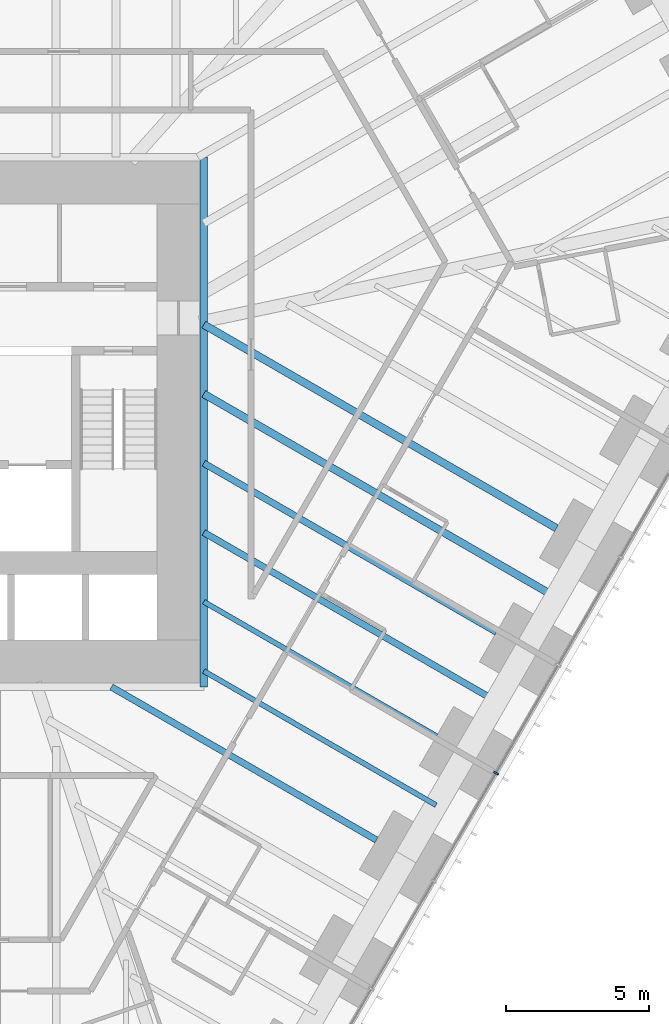
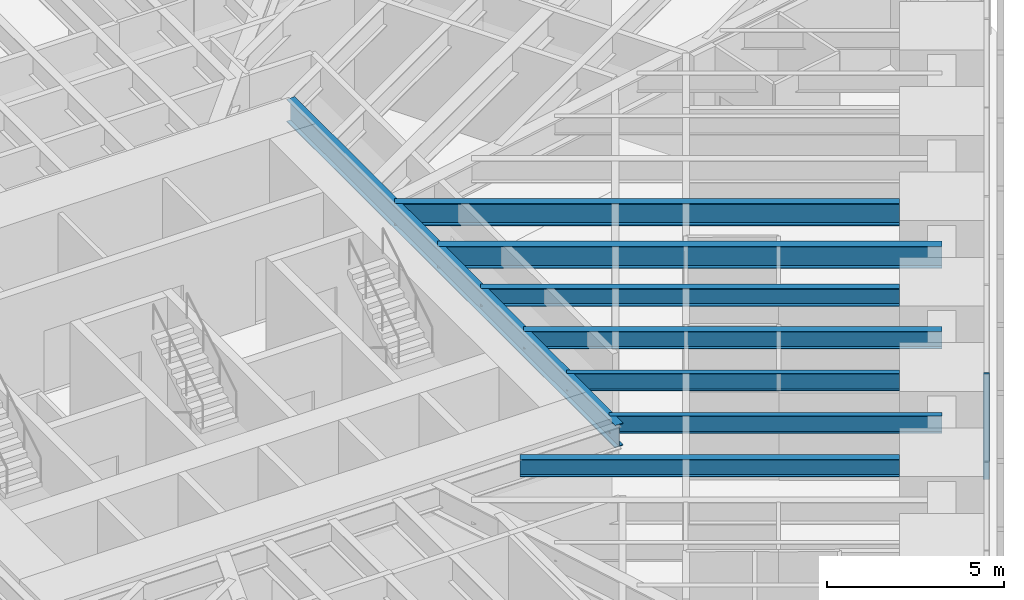
# One storey, part 104 of 256: 8 beams, 1 member, 1 element without a shape of its own.
"""IFC4 building model written with IfcOpenShell, lengths in metres."""

from ifc_helpers import new_model, si_unit, direction, frame, origin, origin_2d, place, context, subcontext, project, spatial, rectangle, i_section, extrude, material, material_profile, profile_set, type_object, element, aggregate, save


model = new_model("IFC4")

# Units and contexts
model_context = context("Model", 3, precision=1e-05, world=origin(), true_north=direction((0.0, 1.0)))
body_context = subcontext(model_context, "Body", "Model", "MODEL_VIEW")
ifc_project = project(units=[si_unit("LENGTHUNIT", "METRE"), si_unit("AREAUNIT", "SQUARE_METRE"), si_unit("VOLUMEUNIT", "CUBIC_METRE"), si_unit("PLANEANGLEUNIT", "RADIAN"), si_unit("MASSUNIT", "GRAM", prefix="KILO")], contexts=[model_context])

# Site, building, storey
site_placement = place(None, origin())
site = spatial("IfcSite", under=ifc_project, at=site_placement, CompositionType="ELEMENT")
building_placement = place(site_placement, origin())
building = spatial("IfcBuilding", under=site, at=building_placement, Name="Sandreach Pilgrim Tower", CompositionType="ELEMENT")
storey_placement = place(building_placement, frame((0.0, 0.0, 23.0)))
storey = spatial("IfcBuildingStorey", under=building, at=storey_placement, Name="L04", CompositionType="ELEMENT", Elevation=23.0)

# Curtain wall, member
ifc_material_1 = material(Name="Aluminium framed curtain wall", Category="aluminium")
curtain_wall_type = type_object("IfcCurtainWallType", Name="Hostel tower curtain wall", PredefinedType="NOTDEFINED", material=ifc_material_1)
curtain_wall_placement = place(storey_placement, origin())
curtain_wall = element("IfcCurtainWall", 1, at=curtain_wall_placement, inside=storey, type_object=curtain_wall_type, Name="CW-1 L04 SE", PredefinedType="NOTDEFINED")
ifc_material_2 = material(Name="Aluminium extrusion", Category="aluminium")
ifc_material_profile_1 = material_profile(ifc_material_2, rectangle(XDim=0.06494140625, YDim=0.179931640625, at=origin_2d()), Name="CW-1M 65X180")
ifc_profile_set_1 = profile_set([ifc_material_profile_1], Name="Aluminium extrusion")
member_type = type_object("IfcMemberType", Name="CW-1 mullion", PredefinedType="MULLION", material=ifc_profile_set_1)
member_placement = place(storey_placement, frame((19.647216796875, -13.8671875, 0.0), z_axis=(0.0, 0.0, 1.0), x_axis=(-0.5, -0.866025403784, 0.0)))
member = element("IfcMember", 2, at=member_placement, type_object=member_type, Name="CW-1 mullion 6", PredefinedType="MULLION", context=body_context, shape_type="SweptSolid", body=[
    extrude(rectangle(XDim=0.06494140625, YDim=0.179931640625, at=origin_2d()), origin(), (0.0, 0.0, 1.0), 3.639892578125),
])
aggregate(curtain_wall, [member])

# Beams
ifc_material_3 = material(Name="Steel ASTM A992 Grade 50", Category="steel")
ifc_material_profile_2 = material_profile(ifc_material_3, i_section(OverallWidth=0.2666015625, OverallDepth=0.77978515625, WebThickness=0.0166015625, FlangeThickness=0.030029296875, at=origin_2d()), Name="W30X148")
ifc_profile_set_2 = profile_set([ifc_material_profile_2], Name="Steel ASTM A992 Grade 50")
beam_type_1 = type_object("IfcBeamType", Name="Core edge beam W30X148", PredefinedType="BEAM", material=ifc_profile_set_2)
beam_1_placement = place(storey_placement, frame((9.393310546875, 7.743408203125, 3.25), z_axis=(0.0, -1.0, 0.0), x_axis=(1.0, 0.0, 0.0)))
element("IfcBeam", 3, at=beam_1_placement, inside=storey, type_object=beam_type_1, Name="BM L04 CEE", PredefinedType="BEAM", context=body_context, shape_type="SweptSolid", body=[
    extrude(i_section(OverallWidth=0.2666015625, OverallDepth=0.77978515625, WebThickness=0.0166015625, FlangeThickness=0.030029296875, at=origin_2d()), origin(), (0.0, 0.0, 1.0), 18.586669921875),
])
ifc_material_4 = material(Name="Steel ASTM A992 Grade 50", Category="steel")
ifc_material_profile_3 = material_profile(ifc_material_4, i_section(OverallWidth=0.1787109375, OverallDepth=0.60205078125, WebThickness=0.010986328125, FlangeThickness=0.014892578125, at=origin_2d()), Name="W24X62")
ifc_profile_set_3 = profile_set([ifc_material_profile_3], Name="Steel ASTM A992 Grade 50")
beam_type_2 = type_object("IfcBeamType", Name="Floor beam W24X62", PredefinedType="BEAM", material=ifc_profile_set_3)
beam_2_placement = place(storey_placement, frame((17.557373046875, -12.5673828125, 3.339111328125), z_axis=(-0.866020839647, 0.500007905235, 0.0), x_axis=(-0.500007905235, -0.866020839647, 0.0)))
element("IfcBeam", 4, at=beam_2_placement, inside=storey, type_object=beam_type_2, Name="BM L04 F18", PredefinedType="BEAM", context=body_context, shape_type="SweptSolid", body=[
    extrude(i_section(OverallWidth=0.1787109375, OverallDepth=0.60205078125, WebThickness=0.010986328125, FlangeThickness=0.014892578125, at=origin_2d()), origin(), (0.0, 0.0, 1.0), 9.427001953125),
])
beam_3_placement = place(storey_placement, frame((17.5439453125, -14.990234375, 3.339111328125), z_axis=(-0.86602359238, 0.500003137431, 0.0), x_axis=(-0.500003137431, -0.86602359238, 0.0)))
element("IfcBeam", 5, at=beam_3_placement, inside=storey, type_object=beam_type_2, Name="BM L04 FM18", PredefinedType="BEAM", context=body_context, shape_type="SweptSolid", body=[
    extrude(i_section(OverallWidth=0.1787109375, OverallDepth=0.60205078125, WebThickness=0.010986328125, FlangeThickness=0.014892578125, at=origin_2d()), origin(), (0.0, 0.0, 1.0), 9.41162109375),
])
ifc_material_5 = material(Name="Steel ASTM A992 Grade 50", Category="steel")
ifc_material_profile_4 = material_profile(ifc_material_5, i_section(OverallWidth=0.23046875, OverallDepth=0.6171875, WebThickness=0.01318359375, FlangeThickness=0.022216796875, at=origin_2d()), Name="W24X94")
ifc_profile_set_4 = profile_set([ifc_material_profile_4], Name="Steel ASTM A992 Grade 50")
beam_type_3 = type_object("IfcBeamType", Name="Floor beam W24X94", PredefinedType="BEAM", material=ifc_profile_set_4)
beam_4_placement = place(storey_placement, frame((19.662353515625, -8.92138671875, 3.331298828125), z_axis=(-0.866029924088, 0.499992170523, 0.0), x_axis=(-0.499992170523, -0.866029924088, 0.0)))
element("IfcBeam", 6, at=beam_4_placement, inside=storey, type_object=beam_type_3, Name="BM L04 F17", PredefinedType="BEAM", context=body_context, shape_type="SweptSolid", body=[
    extrude(i_section(OverallWidth=0.23046875, OverallDepth=0.6171875, WebThickness=0.01318359375, FlangeThickness=0.022216796875, at=origin_2d()), origin(), (0.0, 0.0, 1.0), 11.857666015625),
])
beam_5_placement = place(storey_placement, frame((15.452392578125, -16.213134765625, 3.331298828125), z_axis=(-0.866028486751, 0.499994660107, 0.0), x_axis=(-0.499994660107, -0.866028486751, 0.0)))
element("IfcBeam", 7, at=beam_5_placement, inside=storey, type_object=beam_type_3, Name="BM L04 F19", PredefinedType="BEAM", context=body_context, shape_type="SweptSolid", body=[
    extrude(i_section(OverallWidth=0.23046875, OverallDepth=0.6171875, WebThickness=0.01318359375, FlangeThickness=0.022216796875, at=origin_2d()), origin(), (0.0, 0.0, 1.0), 10.73974609375),
])
beam_6_placement = place(storey_placement, frame((19.64892578125, -11.34423828125, 3.331298828125), z_axis=(-0.866032123691, 0.4999883606, 0.0), x_axis=(-0.4999883606, -0.866032123691, 0.0)))
element("IfcBeam", 8, at=beam_6_placement, inside=storey, type_object=beam_type_3, Name="BM L04 FM17", PredefinedType="BEAM", context=body_context, shape_type="SweptSolid", body=[
    extrude(i_section(OverallWidth=0.23046875, OverallDepth=0.6171875, WebThickness=0.01318359375, FlangeThickness=0.022216796875, at=origin_2d()), origin(), (0.0, 0.0, 1.0), 11.842041015625),
])
ifc_material_6 = material(Name="Steel ASTM A992 Grade 50", Category="steel")
ifc_material_profile_5 = material_profile(ifc_material_6, i_section(OverallWidth=0.2666015625, OverallDepth=0.761962890625, WebThickness=0.014404296875, FlangeThickness=0.021484375, at=origin_2d()), Name="W30X116")
ifc_profile_set_5 = profile_set([ifc_material_profile_5], Name="Steel ASTM A992 Grade 50")
beam_type_4 = type_object("IfcBeamType", Name="Floor beam W30X116", PredefinedType="BEAM", material=ifc_profile_set_5)
beam_7_placement = place(storey_placement, frame((21.76708984375, -5.275390625, 3.259033203125), z_axis=(-0.866024247282, 0.500002003116, 0.0), x_axis=(-0.500002003116, -0.866024247282, 0.0)))
element("IfcBeam", 9, at=beam_7_placement, inside=storey, type_object=beam_type_4, Name="BM L04 F16", PredefinedType="BEAM", context=body_context, shape_type="SweptSolid", body=[
    extrude(i_section(OverallWidth=0.2666015625, OverallDepth=0.761962890625, WebThickness=0.014404296875, FlangeThickness=0.021484375, at=origin_2d()), origin(), (0.0, 0.0, 1.0), 14.2880859375),
])
beam_8_placement = place(storey_placement, frame((21.75390625, -7.698486328125, 3.259033203125), z_axis=(-0.866022935671, 0.500004274874, 0.0), x_axis=(-0.500004274874, -0.866022935671, 0.0)))
element("IfcBeam", 10, at=beam_8_placement, inside=storey, type_object=beam_type_4, Name="BM L04 FM16", PredefinedType="BEAM", context=body_context, shape_type="SweptSolid", body=[
    extrude(i_section(OverallWidth=0.2666015625, OverallDepth=0.761962890625, WebThickness=0.014404296875, FlangeThickness=0.021484375, at=origin_2d()), origin(), (0.0, 0.0, 1.0), 14.27294921875),
])

save(model, "model.ifc")
